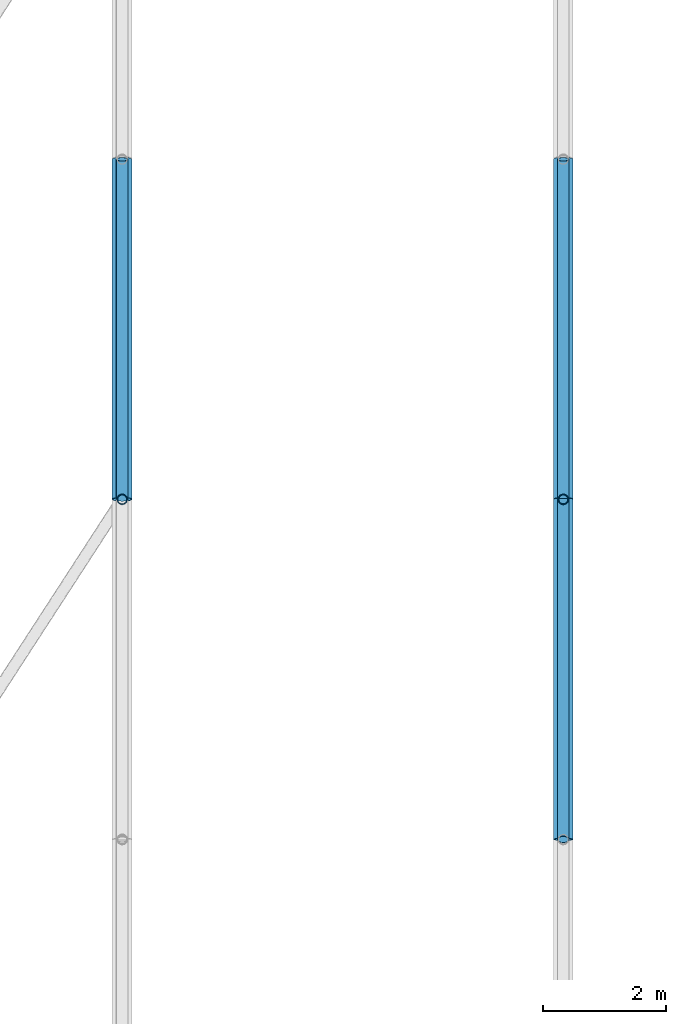
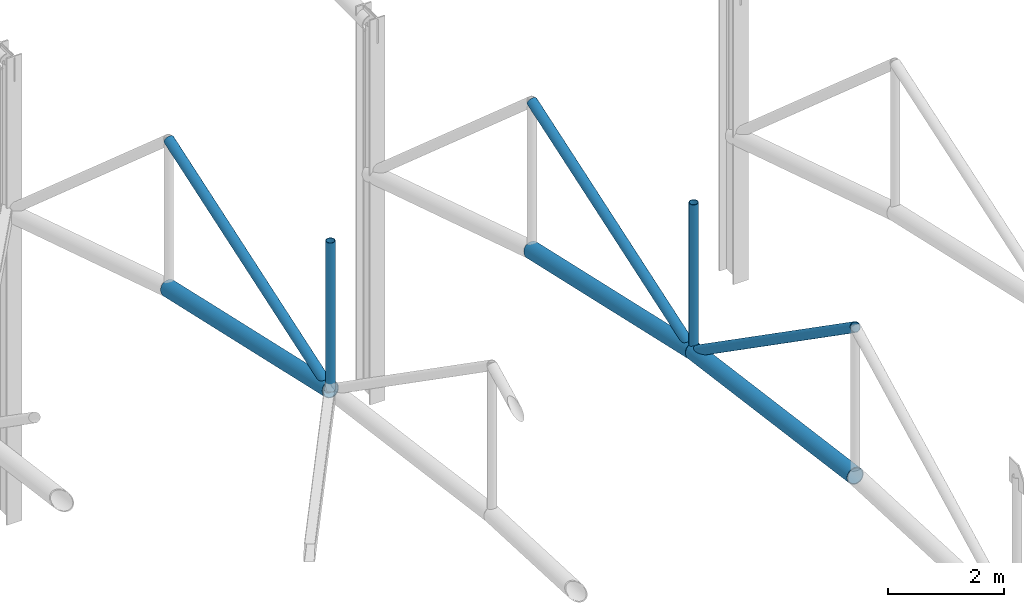
# One storey, part 49 of 153: 8 members.
"""IFC4 building model written with IfcOpenShell, lengths in metres."""

from ifc_helpers import new_model, si_unit, derived_unit, direction, frame, origin, origin_2d, place, context, subcontext, project, spatial, hollow_circle, extrude, material, material_profile, profile_set, type_object, element, save


model = new_model("IFC4")

# Units and contexts
model_context = context("Model", 3, precision=1e-05, world=origin(), true_north=direction((0.0, 1.0)))
body_context = subcontext(model_context, "Body", "Model", "MODEL_VIEW")
ifc_project = project(units=[si_unit("LENGTHUNIT", "METRE"), si_unit("AREAUNIT", "SQUARE_METRE"), si_unit("VOLUMEUNIT", "CUBIC_METRE"), si_unit("PLANEANGLEUNIT", "RADIAN"), si_unit("MASSUNIT", "GRAM", prefix="KILO"), derived_unit("THERMALTRANSMITTANCEUNIT", [(si_unit("POWERUNIT", "WATT"), 1), (si_unit("LENGTHUNIT", "METRE"), -2), (si_unit("THERMODYNAMICTEMPERATUREUNIT", "KELVIN"), -1)])], contexts=[model_context])

# Site, building, storey
site_placement = place(None, origin())
site = spatial("IfcSite", under=ifc_project, at=site_placement, CompositionType="ELEMENT")
building_placement = place(site_placement, origin())
building = spatial("IfcBuilding", under=site, at=building_placement, Name="Keldorne Ridge Multi-Sports Centre", CompositionType="ELEMENT")
storey_placement = place(building_placement, frame((0.0, 0.0, 9.60009765625)))
storey = spatial("IfcBuildingStorey", under=building, at=storey_placement, Name="L02", CompositionType="ELEMENT", Elevation=9.60009765625)

# Members
ifc_material = material(Name="Steel S355", Category="steel")
ifc_material_profile_1 = material_profile(ifc_material, hollow_circle(Radius=0.161865234375, WallThickness=0.01611328125, at=origin_2d()), Name="CHS 323.9x16")
ifc_profile_set_1 = profile_set([ifc_material_profile_1], Name="Steel S355")
member_type_1 = type_object("IfcMemberType", Name="MEM-TC-02", PredefinedType="CHORD", material=ifc_profile_set_1)
member_1_placement = place(storey_placement, frame((13.199951171875, 42.89990234375, 9.3798828125), z_axis=(0.0, 0.975563092904, -0.219719484259), x_axis=(-1.0, 0.0, 0.0)))
element("IfcMember", 1, at=member_1_placement, inside=storey, type_object=member_type_1, Name="Main Hall ROOF TRUSS AT-02 bottom chord 7", PredefinedType="CHORD", context=body_context, shape_type="SweptSolid", body=[
    extrude(hollow_circle(Radius=0.161865234375, WallThickness=0.01611328125, at=origin_2d()), origin(), (0.0, 0.0, 1.0), 5.68896484375),
])
member_2_placement = place(storey_placement, frame((20.39990234375, 37.35009765625, 8.409912109375), z_axis=(0.0, 0.990991804939, -0.133922524405), x_axis=(-1.0, 0.0, 0.0)))
element("IfcMember", 2, at=member_2_placement, inside=storey, type_object=member_type_1, Name="Main Hall ROOF TRUSS AT-03 bottom chord 6", PredefinedType="CHORD", context=body_context, shape_type="SweptSolid", body=[
    extrude(hollow_circle(Radius=0.161865234375, WallThickness=0.01611328125, at=origin_2d()), origin(), (0.0, 0.0, 1.0), 5.600341796875),
])
member_3_placement = place(storey_placement, frame((20.39990234375, 42.89990234375, 7.659912109375), z_axis=(0.0, 0.975563092904, -0.219719484259), x_axis=(-1.0, 0.0, 0.0)))
element("IfcMember", 3, at=member_3_placement, inside=storey, type_object=member_type_1, Name="Main Hall ROOF TRUSS AT-03 bottom chord 7", PredefinedType="CHORD", context=body_context, shape_type="SweptSolid", body=[
    extrude(hollow_circle(Radius=0.161865234375, WallThickness=0.01611328125, at=origin_2d()), origin(), (0.0, 0.0, 1.0), 5.68896484375),
])
ifc_material_profile_2 = material_profile(ifc_material, hollow_circle(Radius=0.096923828125, WallThickness=0.010009765625, at=origin_2d()), Name="CHS 193.7x10")
ifc_profile_set_2 = profile_set([ifc_material_profile_2], Name="Steel S355")
member_type_2 = type_object("IfcMemberType", Name="MEM-TD-01", PredefinedType="BRACE", material=ifc_profile_set_2)
member_4_placement = place(storey_placement, frame((13.199951171875, 42.89990234375, 9.3798828125), z_axis=(0.0, 0.94764862416, 0.319315024901), x_axis=(-1.0, 0.0, 0.0)))
element("IfcMember", 4, at=member_4_placement, inside=storey, type_object=member_type_2, Name="Main Hall ROOF TRUSS AT-02 diagonal 7", PredefinedType="BRACE", context=body_context, shape_type="SweptSolid", body=[
    extrude(hollow_circle(Radius=0.096923828125, WallThickness=0.010009765625, at=origin_2d()), origin(), (0.0, 0.0, 1.0), 5.856689453125),
])
member_5_placement = place(storey_placement, frame((20.39990234375, 37.35009765625, 11.52978515625), z_axis=(0.0, 0.820271449663, -0.571974430257), x_axis=(-1.0, 0.0, 0.0)))
element("IfcMember", 5, at=member_5_placement, inside=storey, type_object=member_type_2, Name="Main Hall ROOF TRUSS AT-03 diagonal 6", PredefinedType="BRACE", context=body_context, shape_type="SweptSolid", body=[
    extrude(hollow_circle(Radius=0.096923828125, WallThickness=0.010009765625, at=origin_2d()), origin(), (0.0, 0.0, 1.0), 6.765869140625),
])
member_6_placement = place(storey_placement, frame((20.39990234375, 42.89990234375, 7.659912109375), z_axis=(0.0, 0.947661237718, 0.319277588514), x_axis=(-1.0, 0.0, 0.0)))
element("IfcMember", 6, at=member_6_placement, inside=storey, type_object=member_type_2, Name="Main Hall ROOF TRUSS AT-03 diagonal 7", PredefinedType="BRACE", context=body_context, shape_type="SweptSolid", body=[
    extrude(hollow_circle(Radius=0.096923828125, WallThickness=0.010009765625, at=origin_2d()), origin(), (0.0, 0.0, 1.0), 5.856689453125),
])
ifc_material_profile_3 = material_profile(ifc_material, hollow_circle(Radius=0.084228515625, WallThickness=0.010009765625, at=origin_2d()), Name="CHS 168.3x10")
ifc_profile_set_3 = profile_set([ifc_material_profile_3], Name="Steel S355")
member_type_3 = type_object("IfcMemberType", Name="MEM-TV-01", PredefinedType="STRUT", material=ifc_profile_set_3)
member_7_placement = place(storey_placement, frame((13.199951171875, 42.89990234375, 9.3798828125), z_axis=(0.0, 0.0, 1.0), x_axis=(1.0, 0.0, 0.0)))
element("IfcMember", 7, at=member_7_placement, inside=storey, type_object=member_type_3, Name="Main Hall ROOF TRUSS AT-02 vertical 7", PredefinedType="STRUT", context=body_context, shape_type="SweptSolid", body=[
    extrude(hollow_circle(Radius=0.084228515625, WallThickness=0.010009765625, at=origin_2d()), origin(), (0.0, 0.0, 1.0), 3.1201171875),
])
member_8_placement = place(storey_placement, frame((20.39990234375, 42.89990234375, 7.659912109375), z_axis=(0.0, 0.0, 1.0), x_axis=(1.0, 0.0, 0.0)))
element("IfcMember", 8, at=member_8_placement, inside=storey, type_object=member_type_3, Name="Main Hall ROOF TRUSS AT-03 vertical 7", PredefinedType="STRUT", context=body_context, shape_type="SweptSolid", body=[
    extrude(hollow_circle(Radius=0.084228515625, WallThickness=0.010009765625, at=origin_2d()), origin(), (0.0, 0.0, 1.0), 3.119873046875),
])

save(model, "model.ifc")
